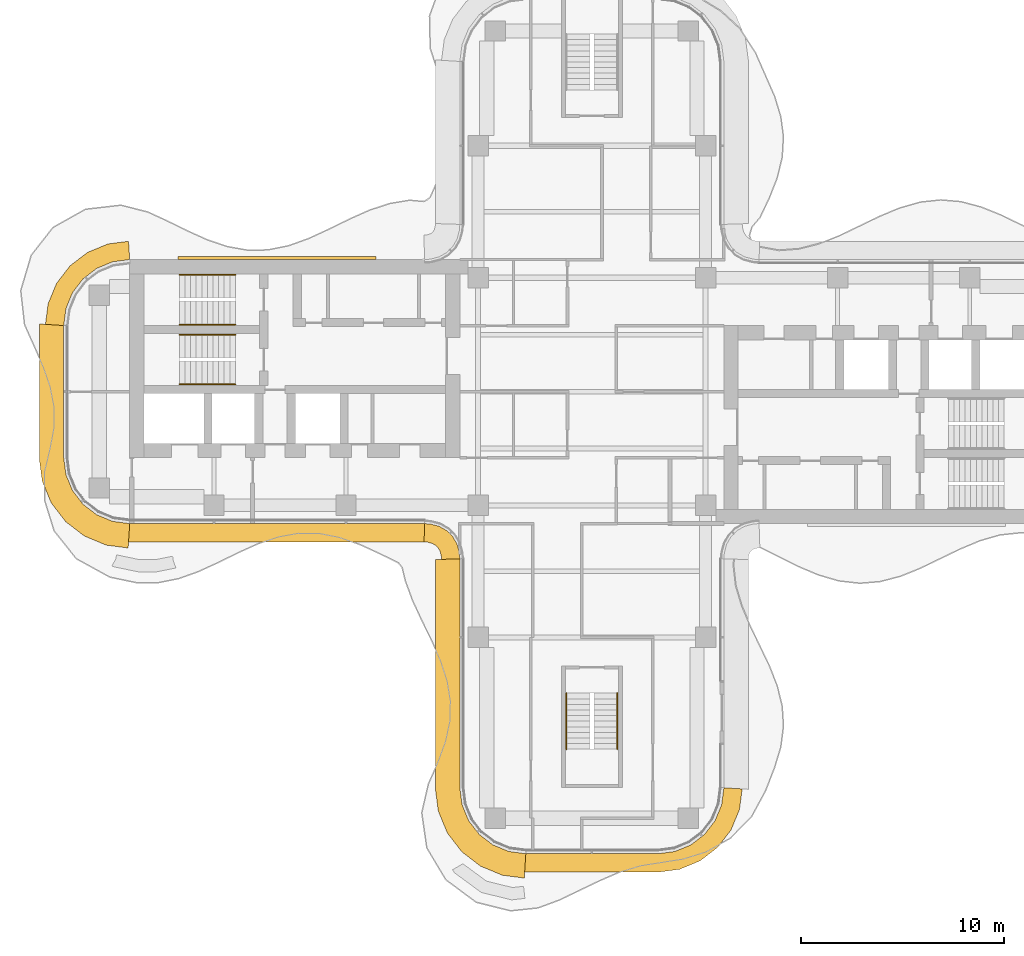
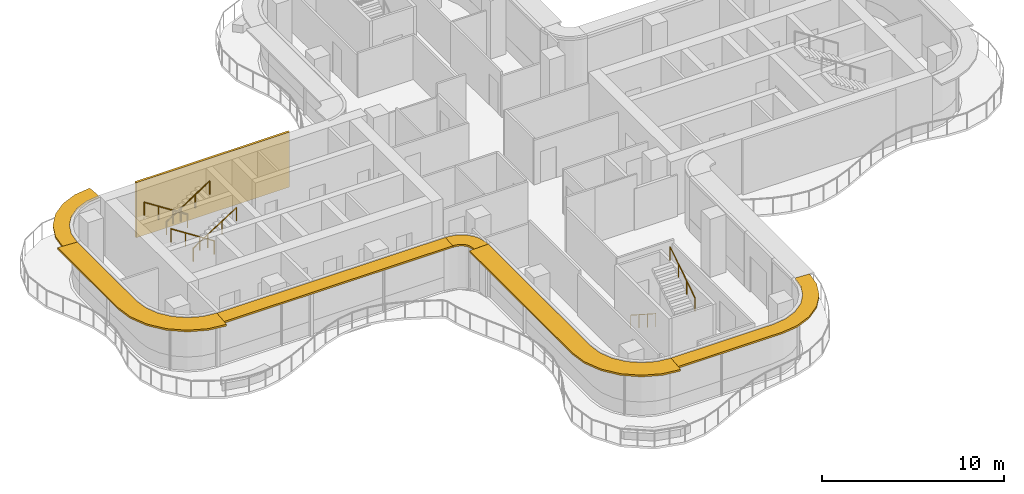
# One storey, part 15 of 16: 6 railings, 6 shading devices, 1 covering.
"""IFC4 building model written with IfcOpenShell, lengths in metres."""

from ifc_helpers import new_model, si_unit, direction, frame, origin, origin_2d, place, context, subcontext, project, spatial, polyline, circle, outline, extrude, source, transform, mapped, material, layer, layer_set, type_object, element, save


model = new_model("IFC4")

# Units and contexts
model_context = context("Model", 3, precision=1e-05, world=origin(), true_north=direction((0.0, 1.0)))
body_context = subcontext(model_context, "Body", "Model", "MODEL_VIEW")
ifc_project = project(units=[si_unit("LENGTHUNIT", "METRE"), si_unit("AREAUNIT", "SQUARE_METRE"), si_unit("VOLUMEUNIT", "CUBIC_METRE"), si_unit("PLANEANGLEUNIT", "RADIAN"), si_unit("MASSUNIT", "GRAM", prefix="KILO")], contexts=[model_context])

# Site, building, storey
site_placement = place(None, origin())
site = spatial("IfcSite", under=ifc_project, at=site_placement, CompositionType="ELEMENT")
building_placement = place(site_placement, origin())
building = spatial("IfcBuilding", under=site, at=building_placement, Name="Trellis Farm Tower", CompositionType="ELEMENT")
storey_placement = place(building_placement, frame((0.0, 0.0, 322.300048828125)))
storey = spatial("IfcBuildingStorey", under=building, at=storey_placement, Name="L73", CompositionType="ELEMENT", Elevation=322.300048828125)

# Railings
ifc_material_1 = material(Name="Stainless steel", Category="steel")
railing_type = type_object("IfcRailingType", Name="STAIR HANDRAIL 900", PredefinedType="HANDRAIL", material=ifc_material_1)
shared_shape_1 = source(origin(), body_context, "Body", "SweptSolid", [
    extrude(circle(Radius=0.02392578125, at=origin_2d()), frame((0.0, 0.0, 0.8759765625), z_axis=(0.0, 0.840503830235, 0.541805602924), x_axis=(-1.0, 0.0, 0.0)), (0.0, 0.0, 1.0), 3.271728515625),
    extrude(circle(Radius=0.02099609375, at=origin_2d()), origin(), (0.0, 0.0, 1.0), 0.851806640625),
    extrude(circle(Radius=0.02099609375, at=origin_2d()), frame((0.0, 0.916748046875, 0.5908203125)), (0.0, 0.0, 1.0), 0.851806640625),
    extrude(circle(Radius=0.02099609375, at=origin_2d()), frame((0.0, 1.833251953125, 1.181884765625)), (0.0, 0.0, 1.0), 0.851806640625),
    extrude(circle(Radius=0.02099609375, at=origin_2d()), frame((0.0, 2.75, 1.772705078125)), (0.0, 0.0, 1.0), 0.851806640625),
])
railing_1_placement = place(storey_placement, frame((1.25, -17.60009765625, 2.127197265625)))
element("IfcRailing", 1, at=railing_1_placement, inside=storey, type_object=railing_type, Name="Stair handrail", PredefinedType="HANDRAIL", context=body_context, shape_type="MappedRepresentation", body=[
    mapped(shared_shape_1, transform((0.0, 0.0, 0.0))),
])
shared_shape_2 = source(origin(), body_context, "Body", "SweptSolid", [
    extrude(circle(Radius=0.02392578125, at=origin_2d()), frame((0.0, 0.0, 0.8759765625), z_axis=(0.0, -0.840503830235, 0.541805602924), x_axis=(1.0, 0.0, 0.0)), (0.0, 0.0, 1.0), 3.271728515625),
    extrude(circle(Radius=0.02099609375, at=origin_2d()), origin(), (0.0, 0.0, 1.0), 0.851806640625),
    extrude(circle(Radius=0.02099609375, at=origin_2d()), frame((0.0, -0.916748046875, 0.5908203125)), (0.0, 0.0, 1.0), 0.851806640625),
    extrude(circle(Radius=0.02099609375, at=origin_2d()), frame((0.0, -1.833251953125, 1.181884765625)), (0.0, 0.0, 1.0), 0.851806640625),
    extrude(circle(Radius=0.02099609375, at=origin_2d()), frame((0.0, -2.75, 1.772705078125)), (0.0, 0.0, 1.0), 0.851806640625),
])
railing_2_placement = place(storey_placement, frame((-1.25, -14.85009765625, 0.17724609375)))
element("IfcRailing", 2, at=railing_2_placement, inside=storey, type_object=railing_type, Name="Stair handrail", PredefinedType="HANDRAIL", context=body_context, shape_type="MappedRepresentation", body=[
    mapped(shared_shape_2, transform((0.0, 0.0, 0.0))),
])
shared_shape_3 = source(origin(), body_context, "Body", "SweptSolid", [
    extrude(circle(Radius=0.02392578125, at=origin_2d()), frame((0.0, 0.0, 0.8759765625), z_axis=(0.840503830235, 0.0, 0.541805602924), x_axis=(0.0, 1.0, 0.0)), (0.0, 0.0, 1.0), 3.271728515625),
    extrude(circle(Radius=0.02099609375, at=origin_2d()), origin(), (0.0, 0.0, 1.0), 0.851806640625),
    extrude(circle(Radius=0.02099609375, at=origin_2d()), frame((0.916748046875, 0.0, 0.5908203125)), (0.0, 0.0, 1.0), 0.851806640625),
    extrude(circle(Radius=0.02099609375, at=origin_2d()), frame((1.833251953125, 0.0, 1.181884765625)), (0.0, 0.0, 1.0), 0.851806640625),
    extrude(circle(Radius=0.02099609375, at=origin_2d()), frame((2.75, 0.0, 1.772705078125)), (0.0, 0.0, 1.0), 0.851806640625),
])
for number, where, name in (
    (3, (-20.300048828125, 3.300048828125, 2.127197265625), "Stair handrail"),
    (4, (-20.300048828125, 0.35009765625, 2.127197265625), "Stair handrail"),
):
    element("IfcRailing", number, at=place(storey_placement, frame(where)), inside=storey, type_object=railing_type, Name=name, PredefinedType="HANDRAIL", context=body_context, shape_type="MappedRepresentation", body=[
        mapped(shared_shape_3, transform((0.0, 0.0, 0.0))),
    ])
shared_shape_4 = source(origin(), body_context, "Body", "SweptSolid", [
    extrude(circle(Radius=0.02392578125, at=origin_2d()), frame((0.0, 0.0, 0.8759765625), z_axis=(-0.840503830235, 0.0, 0.541805602924), x_axis=(0.0, -1.0, 0.0)), (0.0, 0.0, 1.0), 3.271728515625),
    extrude(circle(Radius=0.02099609375, at=origin_2d()), origin(), (0.0, 0.0, 1.0), 0.851806640625),
    extrude(circle(Radius=0.02099609375, at=origin_2d()), frame((-0.916748046875, 0.0, 0.5908203125)), (0.0, 0.0, 1.0), 0.851806640625),
    extrude(circle(Radius=0.02099609375, at=origin_2d()), frame((-1.833251953125, 0.0, 1.181884765625)), (0.0, 0.0, 1.0), 0.851806640625),
    extrude(circle(Radius=0.02099609375, at=origin_2d()), frame((-2.75, 0.0, 1.772705078125)), (0.0, 0.0, 1.0), 0.851806640625),
])
for number, where, name in (
    (5, (-17.550048828125, 5.75, 0.17724609375), "Stair handrail"),
    (6, (-17.550048828125, 2.800048828125, 0.17724609375), "Stair handrail"),
):
    element("IfcRailing", number, at=place(storey_placement, frame(where)), inside=storey, type_object=railing_type, Name=name, PredefinedType="HANDRAIL", context=body_context, shape_type="MappedRepresentation", body=[
        mapped(shared_shape_4, transform((0.0, 0.0, 0.0))),
    ])

# Shading devices
ifc_material_2 = material(Name="Aluminium extrusion 6063-T6", Category="aluminium")
ifc_layer_1 = layer(ifc_material_2, 0.1201171875)
ifc_layer_set_1 = layer_set([ifc_layer_1], Name="SUNSHADE BLADE 900")
shading_device_type_1 = type_object("IfcShadingDeviceType", Name="SUNSHADE BLADE 900", PredefinedType="USERDEFINED", material=ifc_layer_set_1)
shared_shape_5 = source(origin(), body_context, "Body", "SweptSolid", [
    extrude(outline(polyline([(-8.2607421875, -7.39990234375), (-8.107666015625, -7.409912109375), (-8.091552734375, -7.412109375), (-7.85595703125, -7.475341796875), (-7.697021484375, -7.567138671875), (-7.567138671875, -7.697021484375), (-7.475341796875, -7.85595703125), (-7.412109375, -8.091552734375), (-7.409912109375, -8.107666015625), (-7.39990234375, -8.2607421875), (-6.5, -8.2314453125), (-6.513916015625, -8.01953125), (-6.527587890625, -7.91552734375), (-6.63671875, -7.508544921875), (-6.846923828125, -7.144287109375), (-7.144287109375, -6.846923828125), (-7.508544921875, -6.63671875), (-7.91552734375, -6.527587890625), (-8.01953125, -6.513916015625), (-8.2314453125, -6.5), (-8.2607421875, -7.39990234375)])), origin(), (0.0, 0.0, 1.0), 0.119873046875),
])
placement = place(storey_placement, frame((0.0, 0.0, 3.5400390625)))
element("IfcShadingDevice", 7, at=placement, inside=storey, type_object=shading_device_type_1, Name="SD1 002", ObjectType="SUNSHADE", PredefinedType="USERDEFINED", context=body_context, shape_type="MappedRepresentation", body=[
    mapped(shared_shape_5, transform((0.0, 0.0, 0.0))),
])
ifc_layer_2 = layer(ifc_material_2, 0.1201171875)
ifc_layer_set_2 = layer_set([ifc_layer_2], Name="SUNSHADE BLADE 1200")
shading_device_type_2 = type_object("IfcShadingDeviceType", Name="SUNSHADE BLADE 1200", PredefinedType="USERDEFINED", material=ifc_layer_set_2)
shared_shape_6 = source(origin(), body_context, "Body", "SweptSolid", [
    extrude(outline(polyline([(-7.699951171875, -8.270751953125), (-7.699951171875, -19.57861328125), (-7.558349609375, -20.654541015625), (-7.11279296875, -21.730224609375), (-6.404052734375, -22.654052734375), (-5.480224609375, -23.36279296875), (-4.404541015625, -23.808349609375), (-3.32861328125, -23.949951171875), (-3.25, -22.75), (-4.091064453125, -22.63916015625), (-4.875, -22.314697265625), (-5.548095703125, -21.798095703125), (-6.064697265625, -21.125), (-6.38916015625, -20.341064453125), (-6.5, -19.5), (-6.5, -8.2314453125), (-7.699951171875, -8.270751953125)])), origin(), (0.0, 0.0, 1.0), 0.119873046875),
])
element("IfcShadingDevice", 8, at=placement, inside=storey, type_object=shading_device_type_2, Name="SD2 003", ObjectType="SUNSHADE", PredefinedType="USERDEFINED", context=body_context, shape_type="MappedRepresentation", body=[
    mapped(shared_shape_6, transform((0.0, 0.0, 0.0))),
])
shared_shape_7 = source(origin(), body_context, "Body", "SweptSolid", [
    extrude(outline(polyline([(-3.30908203125, -23.64990234375), (3.30908203125, -23.64990234375), (4.326171875, -23.51611328125), (5.328857421875, -23.100830078125), (6.18994140625, -22.43994140625), (6.850830078125, -21.578857421875), (7.26611328125, -20.576171875), (7.39990234375, -19.55908203125), (6.5, -19.5), (6.38916015625, -20.341064453125), (6.064697265625, -21.125), (5.548095703125, -21.798095703125), (4.875, -22.314697265625), (4.091064453125, -22.63916015625), (3.25, -22.75), (-3.25, -22.75), (-3.30908203125, -23.64990234375)])), origin(), (0.0, 0.0, 1.0), 0.119873046875),
])
element("IfcShadingDevice", 9, at=placement, inside=storey, type_object=shading_device_type_1, Name="SD1 004", ObjectType="SUNSHADE", PredefinedType="USERDEFINED", context=body_context, shape_type="MappedRepresentation", body=[
    mapped(shared_shape_7, transform((0.0, 0.0, 0.0))),
])

# Covering
ifc_material_3 = material(Name="Perforated precast screen (cobogo)", Category="concrete")
ifc_layer_3 = layer(ifc_material_3, 0.14990234375)
ifc_layer_set_3 = layer_set([ifc_layer_3], Name="COBOGO SCREEN PANEL")
covering_type = type_object("IfcCoveringType", Name="COBOGO SCREEN PANEL", PredefinedType="USERDEFINED", material=ifc_layer_set_3)
shared_shape_8 = source(origin(), body_context, "Body", "SweptSolid", [
    extrude(outline(polyline([(-10.61572265625, 6.64990234375), (-20.36572265625, 6.64990234375), (-20.36572265625, 6.5), (-10.61572265625, 6.5), (-10.61572265625, 6.64990234375)])), origin(), (0.0, 0.0, 1.0), 3.699951171875),
])
covering_placement = place(storey_placement, origin())
element("IfcCovering", 10, at=covering_placement, inside=storey, type_object=covering_type, Name="SC1 03", ObjectType="SCREEN", PredefinedType="USERDEFINED", context=body_context, shape_type="MappedRepresentation", body=[
    mapped(shared_shape_8, transform((0.0, 0.0, 0.0))),
])

# Shading devices
shared_shape_9 = source(origin(), body_context, "Body", "SweptSolid", [
    extrude(outline(polyline([(-22.80908203125, -7.39990234375), (-8.2607421875, -7.39990234375), (-8.2314453125, -6.5), (-22.75, -6.5), (-22.80908203125, -7.39990234375)])), origin(), (0.0, 0.0, 1.0), 0.119873046875),
])
element("IfcShadingDevice", 11, at=placement, inside=storey, type_object=shading_device_type_1, Name="SD1 001", ObjectType="SUNSHADE", PredefinedType="USERDEFINED", context=body_context, shape_type="MappedRepresentation", body=[
    mapped(shared_shape_9, transform((0.0, 0.0, 0.0))),
])
shared_shape_10 = source(origin(), body_context, "Body", "SweptSolid", [
    extrude(outline(polyline([(-22.80908203125, 7.39990234375), (-23.826171875, 7.26611328125), (-24.828857421875, 6.850830078125), (-25.68994140625, 6.18994140625), (-26.350830078125, 5.328857421875), (-26.76611328125, 4.326171875), (-26.89990234375, 3.30908203125), (-26.0, 3.25), (-25.88916015625, 4.091064453125), (-25.564697265625, 4.875), (-25.048095703125, 5.548095703125), (-24.375, 6.064697265625), (-23.591064453125, 6.38916015625), (-22.75, 6.5), (-22.80908203125, 7.39990234375)])), origin(), (0.0, 0.0, 1.0), 0.119873046875),
])
element("IfcShadingDevice", 12, at=placement, inside=storey, type_object=shading_device_type_1, Name="SD1 016", ObjectType="SUNSHADE", PredefinedType="USERDEFINED", context=body_context, shape_type="MappedRepresentation", body=[
    mapped(shared_shape_10, transform((0.0, 0.0, 0.0))),
])
shared_shape_11 = source(origin(), body_context, "Body", "SweptSolid", [
    extrude(outline(polyline([(-27.199951171875, 3.32861328125), (-27.199951171875, -3.32861328125), (-27.058349609375, -4.404541015625), (-26.61279296875, -5.480224609375), (-25.904052734375, -6.404052734375), (-24.980224609375, -7.11279296875), (-23.904541015625, -7.558349609375), (-22.82861328125, -7.699951171875), (-22.75, -6.5), (-23.591064453125, -6.38916015625), (-24.375, -6.064697265625), (-25.048095703125, -5.548095703125), (-25.564697265625, -4.875), (-25.88916015625, -4.091064453125), (-26.0, -3.25), (-26.0, 3.25), (-27.199951171875, 3.32861328125)])), origin(), (0.0, 0.0, 1.0), 0.119873046875),
])
element("IfcShadingDevice", 13, at=placement, inside=storey, type_object=shading_device_type_2, Name="SD2 017", ObjectType="SUNSHADE", PredefinedType="USERDEFINED", context=body_context, shape_type="MappedRepresentation", body=[
    mapped(shared_shape_11, transform((0.0, 0.0, 0.0))),
])

save(model, "model.ifc")
